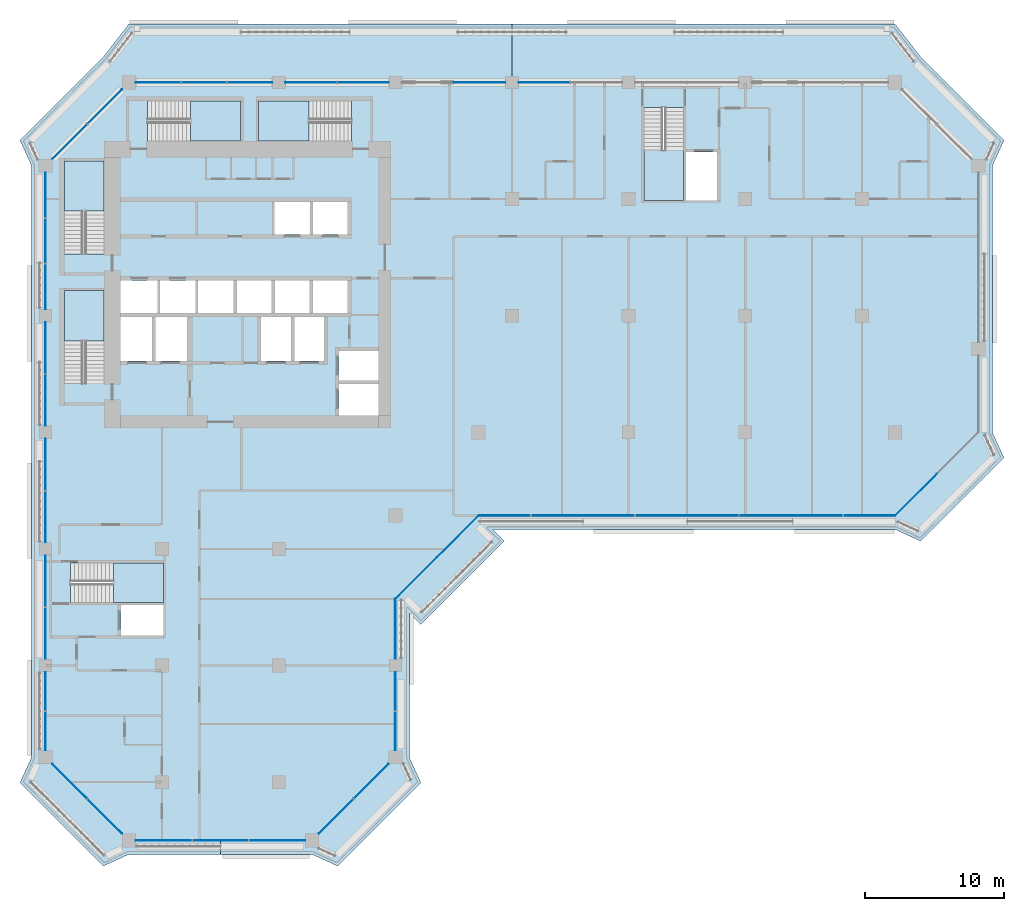
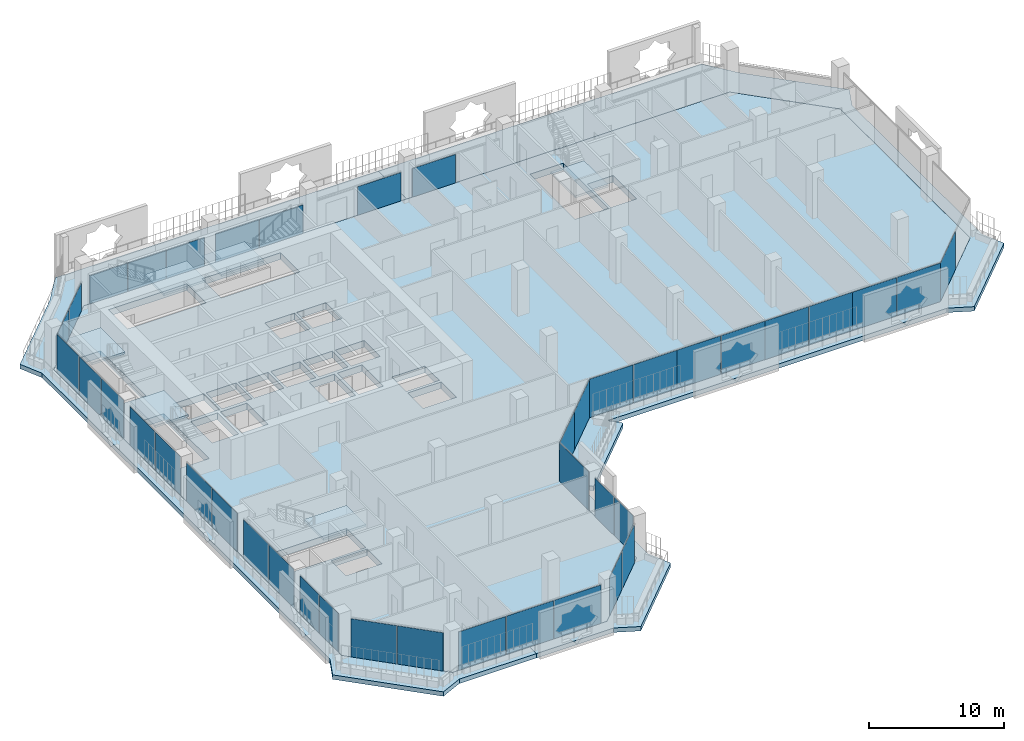
# One storey, part 8 of 21: 41 plates, 9 slabs, 16 elements without a shape of their own.
"""IFC4 building model written with IfcOpenShell, lengths in metres."""

from ifc_helpers import new_model, si_unit, direction, frame, origin, origin_2d, place, context, subcontext, project, spatial, polyline, rectangle, outline, extrude, material, layer, layer_set, type_object, element, aggregate, save


model = new_model("IFC4")

# Units and contexts
model_context = context("Model", 3, precision=1e-05, world=origin(), true_north=direction((0.0, 1.0)))
body_context = subcontext(model_context, "Body", "Model", "MODEL_VIEW")
ifc_project = project(units=[si_unit("LENGTHUNIT", "METRE"), si_unit("AREAUNIT", "SQUARE_METRE"), si_unit("VOLUMEUNIT", "CUBIC_METRE"), si_unit("PLANEANGLEUNIT", "RADIAN"), si_unit("MASSUNIT", "GRAM", prefix="KILO")], contexts=[model_context])

# Site, building, storey
site_placement = place(None, origin())
site = spatial("IfcSite", under=ifc_project, at=site_placement, CompositionType="ELEMENT")
building_placement = place(site_placement, origin())
building = spatial("IfcBuilding", under=site, at=building_placement, Name="Kawkab Arch Medical Tower", CompositionType="ELEMENT")
storey_placement = place(building_placement, frame((0.0, 0.0, 200.39990234375)))
storey = spatial("IfcBuildingStorey", under=building, at=storey_placement, Name="L46", CompositionType="ELEMENT", Elevation=200.39990234375)

# Curtain wall, plates
ifc_material_1 = material(Name="Bronze anodised aluminium curtain wall frame", Category="aluminium")
ifc_layer_1 = layer(ifc_material_1, 0.159912109375)
ifc_layer_set_1 = layer_set([ifc_layer_1], Name="Bronze anodised aluminium curtain wall frame")
curtain_wall_type_1 = type_object("IfcCurtainWallType", Name="CW1 ward curtain wall", PredefinedType="NOTDEFINED", material=ifc_layer_set_1)
placement_1 = place(storey_placement, origin())
curtain_wall_1 = element("IfcCurtainWall", 1, at=placement_1, inside=storey, type_object=curtain_wall_type_1, Name="CW1 Ward curtain wall R01", PredefinedType="NOTDEFINED")
ifc_material_2 = material(Name="Tinted insulating glass, bronze low-e coating", Category="glass")
ifc_layer_2 = layer(ifc_material_2, 0.031982421875)
ifc_layer_set_2 = layer_set([ifc_layer_2], Name="Tinted insulating glass, bronze low-e coating")
plate_type_1 = type_object("IfcPlateType", Name="CW1 glazing unit 32", PredefinedType="CURTAIN_PANEL", material=ifc_layer_set_2)
plate_1_placement = place(storey_placement, frame((0.0, -8.12255859375, 0.0), z_axis=(0.0, 0.0, 1.0), x_axis=(0.0, -1.0, 0.0)))
plate_1 = element("IfcPlate", 2, at=plate_1_placement, type_object=plate_type_1, Name="CW1 glazing unit 1.1", PredefinedType="CURTAIN_PANEL", context=body_context, shape_type="SweptSolid", body=[
    extrude(rectangle(XDim=3.2451171875, YDim=0.031982421875, at=origin_2d()), origin(), (0.0, 0.0, 1.0), 3.47998046875),
])
plate_2_placement = place(storey_placement, frame((0.0, -11.41259765625, 0.0), z_axis=(0.0, 0.0, 1.0), x_axis=(0.0, -1.0, 0.0)))
plate_2 = element("IfcPlate", 3, at=plate_2_placement, type_object=plate_type_1, Name="CW1 glazing unit 1.2", PredefinedType="CURTAIN_PANEL", context=body_context, shape_type="SweptSolid", body=[
    extrude(rectangle(XDim=3.215087890625, YDim=0.031982421875, at=origin_2d()), origin(), (0.0, 0.0, 1.0), 3.47998046875),
])
plate_3_placement = place(storey_placement, frame((0.0, -14.702392578125, 0.0), z_axis=(0.0, 0.0, 1.0), x_axis=(0.0, -1.0, 0.0)))
plate_3 = element("IfcPlate", 4, at=plate_3_placement, type_object=plate_type_1, Name="CW1 glazing unit 1.3", PredefinedType="CURTAIN_PANEL", context=body_context, shape_type="SweptSolid", body=[
    extrude(rectangle(XDim=3.2451171875, YDim=0.031982421875, at=origin_2d()), origin(), (0.0, 0.0, 1.0), 3.47998046875),
])
plate_4_placement = place(storey_placement, frame((0.0, -19.12255859375, 0.0), z_axis=(0.0, 0.0, 1.0), x_axis=(0.0, -1.0, 0.0)))
plate_4 = element("IfcPlate", 5, at=plate_4_placement, type_object=plate_type_1, Name="CW1 glazing unit 2.1", PredefinedType="CURTAIN_PANEL", context=body_context, shape_type="SweptSolid", body=[
    extrude(rectangle(XDim=3.695068359375, YDim=0.031982421875, at=origin_2d()), origin(), (0.0, 0.0, 1.0), 3.47998046875),
])
plate_5_placement = place(storey_placement, frame((0.0, -22.87744140625, 0.0), z_axis=(0.0, 0.0, 1.0), x_axis=(0.0, -1.0, 0.0)))
plate_5 = element("IfcPlate", 6, at=plate_5_placement, type_object=plate_type_1, Name="CW1 glazing unit 2.2", PredefinedType="CURTAIN_PANEL", context=body_context, shape_type="SweptSolid", body=[
    extrude(rectangle(XDim=3.695068359375, YDim=0.031982421875, at=origin_2d()), origin(), (0.0, 0.0, 1.0), 3.47998046875),
])
plate_6_placement = place(storey_placement, frame((0.0, -27.5224609375, 0.0), z_axis=(0.0, 0.0, 1.0), x_axis=(0.0, -1.0, 0.0)))
plate_6 = element("IfcPlate", 7, at=plate_6_placement, type_object=plate_type_1, Name="CW1 glazing unit 3.1", PredefinedType="CURTAIN_PANEL", context=body_context, shape_type="SweptSolid", body=[
    extrude(rectangle(XDim=3.695068359375, YDim=0.031982421875, at=origin_2d()), origin(), (0.0, 0.0, 1.0), 3.47998046875),
])
plate_7_placement = place(storey_placement, frame((0.0, -31.277587890625, 0.0), z_axis=(0.0, 0.0, 1.0), x_axis=(0.0, -1.0, 0.0)))
plate_7 = element("IfcPlate", 8, at=plate_7_placement, type_object=plate_type_1, Name="CW1 glazing unit 3.2", PredefinedType="CURTAIN_PANEL", context=body_context, shape_type="SweptSolid", body=[
    extrude(rectangle(XDim=3.695068359375, YDim=0.031982421875, at=origin_2d()), origin(), (0.0, 0.0, 1.0), 3.47998046875),
])
plate_8_placement = place(storey_placement, frame((0.0, -35.922607421875, 0.0), z_axis=(0.0, 0.0, 1.0), x_axis=(0.0, -1.0, 0.0)))
plate_8 = element("IfcPlate", 9, at=plate_8_placement, type_object=plate_type_1, Name="CW1 glazing unit 4.1", PredefinedType="CURTAIN_PANEL", context=body_context, shape_type="SweptSolid", body=[
    extrude(rectangle(XDim=3.695068359375, YDim=0.031982421875, at=origin_2d()), origin(), (0.0, 0.0, 1.0), 3.47998046875),
])
plate_9_placement = place(storey_placement, frame((0.0, -39.677490234375, 0.0), z_axis=(0.0, 0.0, 1.0), x_axis=(0.0, -1.0, 0.0)))
plate_9 = element("IfcPlate", 10, at=plate_9_placement, type_object=plate_type_1, Name="CW1 glazing unit 4.2", PredefinedType="CURTAIN_PANEL", context=body_context, shape_type="SweptSolid", body=[
    extrude(rectangle(XDim=3.695068359375, YDim=0.031982421875, at=origin_2d()), origin(), (0.0, 0.0, 1.0), 3.47998046875),
])
plate_10_placement = place(storey_placement, frame((0.0, -43.8662109375, 0.0), z_axis=(0.0, 0.0, 1.0), x_axis=(0.0, -1.0, 0.0)))
plate_10 = element("IfcPlate", 11, at=plate_10_placement, type_object=plate_type_1, Name="CW1 glazing unit 5.1", PredefinedType="CURTAIN_PANEL", context=body_context, shape_type="SweptSolid", body=[
    extrude(rectangle(XDim=2.782470703125, YDim=0.031982421875, at=origin_2d()), origin(), (0.0, 0.0, 1.0), 3.47998046875),
])
plate_11_placement = place(storey_placement, frame((0.0, -46.708740234375, 0.0), z_axis=(0.0, 0.0, 1.0), x_axis=(0.0, -1.0, 0.0)))
plate_11 = element("IfcPlate", 12, at=plate_11_placement, type_object=plate_type_1, Name="CW1 glazing unit 5.2", PredefinedType="CURTAIN_PANEL", context=body_context, shape_type="SweptSolid", body=[
    extrude(rectangle(XDim=2.782470703125, YDim=0.031982421875, at=origin_2d()), origin(), (0.0, 0.0, 1.0), 3.47998046875),
])
aggregate(curtain_wall_1, [plate_1, plate_2, plate_3, plate_4, plate_5, plate_6, plate_7, plate_8, plate_9, plate_10, plate_11])

curtain_wall_2 = element("IfcCurtainWall", 13, at=placement_1, inside=storey, type_object=curtain_wall_type_1, Name="CW1 Ward curtain wall R03", PredefinedType="NOTDEFINED")
plate_12_placement = place(storey_placement, frame((8.518310546875, -54.60009765625, 0.0), z_axis=(0.0, 0.0, 1.0), x_axis=(1.0, 0.0, 0.0)))
plate_12 = element("IfcPlate", 14, at=plate_12_placement, type_object=plate_type_1, Name="CW1 glazing unit 1.1", PredefinedType="CURTAIN_PANEL", context=body_context, shape_type="SweptSolid", body=[
    extrude(rectangle(XDim=4.03662109375, YDim=0.031982421875, at=origin_2d()), origin(), (0.0, 0.0, 1.0), 3.47998046875),
])
plate_13_placement = place(storey_placement, frame((12.60009765625, -54.60009765625, 0.0), z_axis=(0.0, 0.0, 1.0), x_axis=(1.0, 0.0, 0.0)))
plate_13 = element("IfcPlate", 15, at=plate_13_placement, type_object=plate_type_1, Name="CW1 glazing unit 1.2", PredefinedType="CURTAIN_PANEL", context=body_context, shape_type="SweptSolid", body=[
    extrude(rectangle(XDim=4.006591796875, YDim=0.031982421875, at=origin_2d()), origin(), (0.0, 0.0, 1.0), 3.47998046875),
])
plate_14_placement = place(storey_placement, frame((16.681640625, -54.60009765625, 0.0), z_axis=(0.0, 0.0, 1.0), x_axis=(1.0, 0.0, 0.0)))
plate_14 = element("IfcPlate", 16, at=plate_14_placement, type_object=plate_type_1, Name="CW1 glazing unit 1.3", PredefinedType="CURTAIN_PANEL", context=body_context, shape_type="SweptSolid", body=[
    extrude(rectangle(XDim=4.03662109375, YDim=0.031982421875, at=origin_2d()), origin(), (0.0, 0.0, 1.0), 3.47998046875),
])
aggregate(curtain_wall_2, [plate_12, plate_13, plate_14])

curtain_wall_3 = element("IfcCurtainWall", 17, at=placement_1, inside=storey, type_object=curtain_wall_type_1, Name="CW1 Ward curtain wall R05", PredefinedType="NOTDEFINED")
plate_15_placement = place(storey_placement, frame((25.199951171875, -46.708740234375, 0.0), z_axis=(0.0, 0.0, 1.0), x_axis=(0.0, 1.0, 0.0)))
plate_15 = element("IfcPlate", 18, at=plate_15_placement, type_object=plate_type_1, Name="CW1 glazing unit 1.1", PredefinedType="CURTAIN_PANEL", context=body_context, shape_type="SweptSolid", body=[
    extrude(rectangle(XDim=2.782470703125, YDim=0.031982421875, at=origin_2d()), origin(), (0.0, 0.0, 1.0), 3.47998046875),
])
plate_16_placement = place(storey_placement, frame((25.199951171875, -43.8662109375, 0.0), z_axis=(0.0, 0.0, 1.0), x_axis=(0.0, 1.0, 0.0)))
plate_16 = element("IfcPlate", 19, at=plate_16_placement, type_object=plate_type_1, Name="CW1 glazing unit 1.2", PredefinedType="CURTAIN_PANEL", context=body_context, shape_type="SweptSolid", body=[
    extrude(rectangle(XDim=2.782470703125, YDim=0.031982421875, at=origin_2d()), origin(), (0.0, 0.0, 1.0), 3.47998046875),
])
plate_17_placement = place(storey_placement, frame((25.199951171875, -39.362548828125, 0.0), z_axis=(0.0, 0.0, 1.0), x_axis=(0.0, 1.0, 0.0)))
plate_17 = element("IfcPlate", 20, at=plate_17_placement, type_object=plate_type_1, Name="CW1 glazing unit 2.1", PredefinedType="CURTAIN_PANEL", context=body_context, shape_type="SweptSolid", body=[
    extrude(rectangle(XDim=4.324951171875, YDim=0.031982421875, at=origin_2d()), origin(), (0.0, 0.0, 1.0), 3.47998046875),
])
aggregate(curtain_wall_3, [plate_15, plate_16, plate_17])

curtain_wall_4 = element("IfcCurtainWall", 21, at=placement_1, inside=storey, type_object=curtain_wall_type_1, Name="CW1 Ward curtain wall R07", PredefinedType="NOTDEFINED")
plate_18_placement = place(storey_placement, frame((33.06005859375, -31.199951171875, 0.0), z_axis=(0.0, 0.0, 1.0), x_axis=(1.0, 0.0, 0.0)))
plate_18 = element("IfcPlate", 22, at=plate_18_placement, type_object=plate_type_1, Name="CW1 glazing unit 1.1", PredefinedType="CURTAIN_PANEL", context=body_context, shape_type="SweptSolid", body=[
    extrude(rectangle(XDim=3.719970703125, YDim=0.031982421875, at=origin_2d()), origin(), (0.0, 0.0, 1.0), 3.47998046875),
])
plate_19_placement = place(storey_placement, frame((36.840087890625, -31.199951171875, 0.0), z_axis=(0.0, 0.0, 1.0), x_axis=(1.0, 0.0, 0.0)))
plate_19 = element("IfcPlate", 23, at=plate_19_placement, type_object=plate_type_1, Name="CW1 glazing unit 1.2", PredefinedType="CURTAIN_PANEL", context=body_context, shape_type="SweptSolid", body=[
    extrude(rectangle(XDim=3.719970703125, YDim=0.031982421875, at=origin_2d()), origin(), (0.0, 0.0, 1.0), 3.47998046875),
])
plate_20_placement = place(storey_placement, frame((40.56005859375, -31.199951171875, 0.0), z_axis=(0.0, 0.0, 1.0), x_axis=(1.0, 0.0, 0.0)))
plate_20 = element("IfcPlate", 24, at=plate_20_placement, type_object=plate_type_1, Name="CW1 glazing unit 2.1", PredefinedType="CURTAIN_PANEL", context=body_context, shape_type="SweptSolid", body=[
    extrude(rectangle(XDim=3.719970703125, YDim=0.031982421875, at=origin_2d()), origin(), (0.0, 0.0, 1.0), 3.47998046875),
])
plate_21_placement = place(storey_placement, frame((44.340087890625, -31.199951171875, 0.0), z_axis=(0.0, 0.0, 1.0), x_axis=(1.0, 0.0, 0.0)))
plate_21 = element("IfcPlate", 25, at=plate_21_placement, type_object=plate_type_1, Name="CW1 glazing unit 2.2", PredefinedType="CURTAIN_PANEL", context=body_context, shape_type="SweptSolid", body=[
    extrude(rectangle(XDim=3.719970703125, YDim=0.031982421875, at=origin_2d()), origin(), (0.0, 0.0, 1.0), 3.47998046875),
])
plate_22_placement = place(storey_placement, frame((48.06005859375, -31.199951171875, 0.0), z_axis=(0.0, 0.0, 1.0), x_axis=(1.0, 0.0, 0.0)))
plate_22 = element("IfcPlate", 26, at=plate_22_placement, type_object=plate_type_1, Name="CW1 glazing unit 3.1", PredefinedType="CURTAIN_PANEL", context=body_context, shape_type="SweptSolid", body=[
    extrude(rectangle(XDim=3.719970703125, YDim=0.031982421875, at=origin_2d()), origin(), (0.0, 0.0, 1.0), 3.47998046875),
])
plate_23_placement = place(storey_placement, frame((51.840087890625, -31.199951171875, 0.0), z_axis=(0.0, 0.0, 1.0), x_axis=(1.0, 0.0, 0.0)))
plate_23 = element("IfcPlate", 27, at=plate_23_placement, type_object=plate_type_1, Name="CW1 glazing unit 3.2", PredefinedType="CURTAIN_PANEL", context=body_context, shape_type="SweptSolid", body=[
    extrude(rectangle(XDim=3.719970703125, YDim=0.031982421875, at=origin_2d()), origin(), (0.0, 0.0, 1.0), 3.47998046875),
])
plate_24_placement = place(storey_placement, frame((55.56005859375, -31.199951171875, 0.0), z_axis=(0.0, 0.0, 1.0), x_axis=(1.0, 0.0, 0.0)))
plate_24 = element("IfcPlate", 28, at=plate_24_placement, type_object=plate_type_1, Name="CW1 glazing unit 4.1", PredefinedType="CURTAIN_PANEL", context=body_context, shape_type="SweptSolid", body=[
    extrude(rectangle(XDim=3.719970703125, YDim=0.031982421875, at=origin_2d()), origin(), (0.0, 0.0, 1.0), 3.47998046875),
])
plate_25_placement = place(storey_placement, frame((59.340087890625, -31.199951171875, 0.0), z_axis=(0.0, 0.0, 1.0), x_axis=(1.0, 0.0, 0.0)))
plate_25 = element("IfcPlate", 29, at=plate_25_placement, type_object=plate_type_1, Name="CW1 glazing unit 4.2", PredefinedType="CURTAIN_PANEL", context=body_context, shape_type="SweptSolid", body=[
    extrude(rectangle(XDim=3.719970703125, YDim=0.031982421875, at=origin_2d()), origin(), (0.0, 0.0, 1.0), 3.47998046875),
])
aggregate(curtain_wall_4, [plate_18, plate_19, plate_20, plate_21, plate_22, plate_23, plate_24, plate_25])

curtain_wall_5 = element("IfcCurtainWall", 30, at=placement_1, inside=storey, type_object=curtain_wall_type_1, Name="CW1 Ward curtain wall R11", PredefinedType="NOTDEFINED")
plate_26_placement = place(storey_placement, frame((35.922607421875, 0.0, 0.0), z_axis=(0.0, 0.0, 1.0), x_axis=(-1.0, 0.0, 0.0)))
plate_26 = element("IfcPlate", 31, at=plate_26_placement, type_object=plate_type_1, Name="CW1 glazing unit 3.2", PredefinedType="CURTAIN_PANEL", context=body_context, shape_type="SweptSolid", body=[
    extrude(rectangle(XDim=3.695068359375, YDim=0.031982421875, at=origin_2d()), origin(), (0.0, 0.0, 1.0), 2.580078125),
])
plate_27_placement = place(storey_placement, frame((31.262451171875, 0.0, 0.0), z_axis=(0.0, 0.0, 1.0), x_axis=(-1.0, 0.0, 0.0)))
plate_27 = element("IfcPlate", 32, at=plate_27_placement, type_object=plate_type_1, Name="CW1 glazing unit 4.1", PredefinedType="CURTAIN_PANEL", context=body_context, shape_type="SweptSolid", body=[
    extrude(rectangle(XDim=3.72509765625, YDim=0.031982421875, at=origin_2d()), origin(), (0.0, 0.0, 1.0), 2.580078125),
])
plate_28_placement = place(storey_placement, frame((22.87744140625, 0.0, 0.0), z_axis=(0.0, 0.0, 1.0), x_axis=(-1.0, 0.0, 0.0)))
plate_28 = element("IfcPlate", 33, at=plate_28_placement, type_object=plate_type_1, Name="CW1 glazing unit 5.1", PredefinedType="CURTAIN_PANEL", context=body_context, shape_type="SweptSolid", body=[
    extrude(rectangle(XDim=3.695068359375, YDim=0.031982421875, at=origin_2d()), origin(), (0.0, 0.0, 1.0), 2.580078125),
])
plate_29_placement = place(storey_placement, frame((19.12255859375, 0.0, 0.0), z_axis=(0.0, 0.0, 1.0), x_axis=(-1.0, 0.0, 0.0)))
plate_29 = element("IfcPlate", 34, at=plate_29_placement, type_object=plate_type_1, Name="CW1 glazing unit 5.2", PredefinedType="CURTAIN_PANEL", context=body_context, shape_type="SweptSolid", body=[
    extrude(rectangle(XDim=3.695068359375, YDim=0.031982421875, at=origin_2d()), origin(), (0.0, 0.0, 1.0), 2.580078125),
])
plate_30_placement = place(storey_placement, frame((14.702392578125, 0.0, 0.0), z_axis=(0.0, 0.0, 1.0), x_axis=(-1.0, 0.0, 0.0)))
plate_30 = element("IfcPlate", 35, at=plate_30_placement, type_object=plate_type_1, Name="CW1 glazing unit 6.1", PredefinedType="CURTAIN_PANEL", context=body_context, shape_type="SweptSolid", body=[
    extrude(rectangle(XDim=3.2451171875, YDim=0.031982421875, at=origin_2d()), origin(), (0.0, 0.0, 1.0), 2.580078125),
])
plate_31_placement = place(storey_placement, frame((11.41259765625, 0.0, 0.0), z_axis=(0.0, 0.0, 1.0), x_axis=(-1.0, 0.0, 0.0)))
plate_31 = element("IfcPlate", 36, at=plate_31_placement, type_object=plate_type_1, Name="CW1 glazing unit 6.2", PredefinedType="CURTAIN_PANEL", context=body_context, shape_type="SweptSolid", body=[
    extrude(rectangle(XDim=3.215087890625, YDim=0.031982421875, at=origin_2d()), origin(), (0.0, 0.0, 1.0), 2.580078125),
])
plate_32_placement = place(storey_placement, frame((8.12255859375, 0.0, 0.0), z_axis=(0.0, 0.0, 1.0), x_axis=(-1.0, 0.0, 0.0)))
plate_32 = element("IfcPlate", 37, at=plate_32_placement, type_object=plate_type_1, Name="CW1 glazing unit 6.3", PredefinedType="CURTAIN_PANEL", context=body_context, shape_type="SweptSolid", body=[
    extrude(rectangle(XDim=3.2451171875, YDim=0.031982421875, at=origin_2d()), origin(), (0.0, 0.0, 1.0), 2.580078125),
])
aggregate(curtain_wall_5, [plate_26, plate_27, plate_28, plate_29, plate_30, plate_31, plate_32])

ifc_material_3 = material(Name="Bronze anodised aluminium curtain wall frame", Category="aluminium")
ifc_layer_3 = layer(ifc_material_3, 0.159912109375)
ifc_layer_set_3 = layer_set([ifc_layer_3], Name="Bronze anodised aluminium curtain wall frame")
curtain_wall_type_2 = type_object("IfcCurtainWallType", Name="CW2 chamfer curtain wall", PredefinedType="NOTDEFINED", material=ifc_layer_set_3)
curtain_wall_6 = element("IfcCurtainWall", 38, at=placement_1, inside=storey, type_object=curtain_wall_type_2, Name="CW2 Chamfer curtain wall R02", PredefinedType="NOTDEFINED")
ifc_material_4 = material(Name="Tinted insulating glass, bronze low-e coating", Category="glass")
ifc_layer_4 = layer(ifc_material_4, 0.031982421875)
ifc_layer_set_4 = layer_set([ifc_layer_4], Name="Tinted insulating glass, bronze low-e coating")
plate_type_2 = type_object("IfcPlateType", Name="CW2 glazing unit 32", PredefinedType="CURTAIN_PANEL", material=ifc_layer_set_4)
plate_33_placement = place(storey_placement, frame((1.739501953125, -50.33935546875, 0.0), z_axis=(0.0, 0.0, 1.0), x_axis=(0.707106781187, -0.707106781187, 0.0)))
plate_33 = element("IfcPlate", 39, at=plate_33_placement, type_object=plate_type_2, Name="CW2 glazing unit 1.1", PredefinedType="CURTAIN_PANEL", context=body_context, shape_type="SweptSolid", body=[
    extrude(rectangle(XDim=3.505615234375, YDim=0.031982421875, at=origin_2d()), origin(), (0.0, 0.0, 1.0), 3.4599609375),
])
plate_34_placement = place(storey_placement, frame((4.260498046875, -52.860595703125, 0.0), z_axis=(0.0, 0.0, 1.0), x_axis=(0.707106781187, -0.707106781187, 0.0)))
plate_34 = element("IfcPlate", 40, at=plate_34_placement, type_object=plate_type_2, Name="CW2 glazing unit 1.2", PredefinedType="CURTAIN_PANEL", context=body_context, shape_type="SweptSolid", body=[
    extrude(rectangle(XDim=3.505615234375, YDim=0.031982421875, at=origin_2d()), origin(), (0.0, 0.0, 1.0), 3.4599609375),
])
aggregate(curtain_wall_6, [plate_33, plate_34])

curtain_wall_7 = element("IfcCurtainWall", 41, at=placement_1, inside=storey, type_object=curtain_wall_type_2, Name="CW2 Chamfer curtain wall R04", PredefinedType="NOTDEFINED")
plate_35_placement = place(storey_placement, frame((20.939453125, -52.860595703125, 0.0), z_axis=(0.0, 0.0, 1.0), x_axis=(0.707106781187, 0.707106781187, 0.0)))
plate_35 = element("IfcPlate", 42, at=plate_35_placement, type_object=plate_type_2, Name="CW2 glazing unit 1.1", PredefinedType="CURTAIN_PANEL", context=body_context, shape_type="SweptSolid", body=[
    extrude(rectangle(XDim=3.505615234375, YDim=0.031982421875, at=origin_2d()), origin(), (0.0, 0.0, 1.0), 3.4599609375),
])
plate_36_placement = place(storey_placement, frame((23.460693359375, -50.33935546875, 0.0), z_axis=(0.0, 0.0, 1.0), x_axis=(0.707106781187, 0.707106781187, 0.0)))
plate_36 = element("IfcPlate", 43, at=plate_36_placement, type_object=plate_type_2, Name="CW2 glazing unit 1.2", PredefinedType="CURTAIN_PANEL", context=body_context, shape_type="SweptSolid", body=[
    extrude(rectangle(XDim=3.505615234375, YDim=0.031982421875, at=origin_2d()), origin(), (0.0, 0.0, 1.0), 3.4599609375),
])
aggregate(curtain_wall_7, [plate_35, plate_36])

curtain_wall_8 = element("IfcCurtainWall", 44, at=placement_1, inside=storey, type_object=curtain_wall_type_2, Name="CW2 Chamfer curtain wall R06", PredefinedType="NOTDEFINED")
plate_37_placement = place(storey_placement, frame((26.699951171875, -35.699951171875, 0.0), z_axis=(0.0, 0.0, 1.0), x_axis=(0.707106781187, 0.707106781187, 0.0)))
plate_37 = element("IfcPlate", 45, at=plate_37_placement, type_object=plate_type_2, Name="CW2 glazing unit 1.1", PredefinedType="CURTAIN_PANEL", context=body_context, shape_type="SweptSolid", body=[
    extrude(rectangle(XDim=4.24267578125, YDim=0.031982421875, at=origin_2d()), origin(), (0.0, 0.0, 1.0), 3.4599609375),
])
plate_38_placement = place(storey_placement, frame((29.699951171875, -32.699951171875, 0.0), z_axis=(0.0, 0.0, 1.0), x_axis=(0.707106781187, 0.707106781187, 0.0)))
plate_38 = element("IfcPlate", 46, at=plate_38_placement, type_object=plate_type_2, Name="CW2 glazing unit 2.1", PredefinedType="CURTAIN_PANEL", context=body_context, shape_type="SweptSolid", body=[
    extrude(rectangle(XDim=4.24267578125, YDim=0.031982421875, at=origin_2d()), origin(), (0.0, 0.0, 1.0), 3.4599609375),
])
aggregate(curtain_wall_8, [plate_37, plate_38])

# Curtain wall, plate
curtain_wall_9 = element("IfcCurtainWall", 47, at=placement_1, inside=storey, type_object=curtain_wall_type_2, Name="CW2 Chamfer curtain wall R08", PredefinedType="NOTDEFINED")
plate_39_placement = place(storey_placement, frame((62.699951171875, -29.699951171875, 0.0), z_axis=(0.0, 0.0, 1.0), x_axis=(0.707106781187, 0.707106781187, 0.0)))
plate_39 = element("IfcPlate", 48, at=plate_39_placement, type_object=plate_type_2, Name="CW2 glazing unit 1.1", PredefinedType="CURTAIN_PANEL", context=body_context, shape_type="SweptSolid", body=[
    extrude(rectangle(XDim=4.24267578125, YDim=0.031982421875, at=origin_2d()), origin(), (0.0, 0.0, 1.0), 3.4599609375),
])
aggregate(curtain_wall_9, [plate_39])

# Curtain wall, plates
curtain_wall_10 = element("IfcCurtainWall", 49, at=placement_1, inside=storey, type_object=curtain_wall_type_2, Name="CW2 Chamfer curtain wall R12", PredefinedType="NOTDEFINED")
plate_40_placement = place(storey_placement, frame((4.260498046875, -1.739501953125, 0.0), z_axis=(0.0, 0.0, 1.0), x_axis=(-0.707106781187, -0.707106781187, 0.0)))
plate_40 = element("IfcPlate", 50, at=plate_40_placement, type_object=plate_type_2, Name="CW2 glazing unit 1.1", PredefinedType="CURTAIN_PANEL", context=body_context, shape_type="SweptSolid", body=[
    extrude(rectangle(XDim=3.505615234375, YDim=0.031982421875, at=origin_2d()), origin(), (0.0, 0.0, 1.0), 2.56005859375),
])
plate_41_placement = place(storey_placement, frame((1.739501953125, -4.260498046875, 0.0), z_axis=(0.0, 0.0, 1.0), x_axis=(-0.707106781187, -0.707106781187, 0.0)))
plate_41 = element("IfcPlate", 51, at=plate_41_placement, type_object=plate_type_2, Name="CW2 glazing unit 1.2", PredefinedType="CURTAIN_PANEL", context=body_context, shape_type="SweptSolid", body=[
    extrude(rectangle(XDim=3.505615234375, YDim=0.031982421875, at=origin_2d()), origin(), (0.0, 0.0, 1.0), 2.56005859375),
])
aggregate(curtain_wall_10, [plate_40, plate_41])

# Stair, slab
ifc_material_5 = material(Name="Concrete C40/50", Category="concrete")
stair_type = type_object("IfcStairType", Name="Exit stair 1350", PredefinedType="HALF_TURN_STAIR", material=ifc_material_5)
stair_1 = element("IfcStair", 52, at=placement_1, inside=storey, type_object=stair_type, Name="L46 Exit stair ST1", PredefinedType="HALF_TURN_STAIR")
ifc_material_6 = material(Name="Concrete C40/50", Category="concrete")
ifc_layer_5 = layer(ifc_material_6, 0.199951171875)
ifc_layer_set_5 = layer_set([ifc_layer_5], Name="Concrete C40/50")
slab_type_1 = type_object("IfcSlabType", Name="Exit stair landing 200", PredefinedType="LANDING", material=ifc_layer_set_5)
placement_2 = place(storey_placement, frame((0.0, 0.0, 1.900146484375)))
slab_1 = element("IfcSlab", 53, at=placement_2, type_object=slab_type_1, Name="ST1 landing 1", PredefinedType="LANDING", context=body_context, shape_type="SweptSolid", body=[
    extrude(outline(polyline([(4.199951171875, -9.27001953125), (4.199951171875, -5.64990234375), (1.35009765625, -5.64990234375), (1.35009765625, -9.27001953125), (4.199951171875, -9.27001953125)])), origin(), (0.0, 0.0, 1.0), 0.199951171875),
])
aggregate(stair_1, [slab_1])

stair_2 = element("IfcStair", 54, at=placement_1, inside=storey, type_object=stair_type, Name="L46 Exit stair ST2", PredefinedType="HALF_TURN_STAIR")
slab_2 = element("IfcSlab", 55, at=placement_2, type_object=slab_type_1, Name="ST2 landing 1", PredefinedType="LANDING", context=body_context, shape_type="SweptSolid", body=[
    extrude(outline(polyline([(4.199951171875, -18.6201171875), (4.199951171875, -15.0), (1.35009765625, -15.0), (1.35009765625, -18.6201171875), (4.199951171875, -18.6201171875)])), origin(), (0.0, 0.0, 1.0), 0.199951171875),
])
aggregate(stair_2, [slab_2])

stair_3 = element("IfcStair", 56, at=placement_1, inside=storey, type_object=stair_type, Name="L46 Exit stair ST3", PredefinedType="HALF_TURN_STAIR")
slab_3 = element("IfcSlab", 57, at=placement_2, type_object=slab_type_1, Name="ST3 landing 1", PredefinedType="LANDING", context=body_context, shape_type="SweptSolid", body=[
    extrude(outline(polyline([(10.429931640625, -4.199951171875), (14.050048828125, -4.199951171875), (14.050048828125, -1.35009765625), (10.429931640625, -1.35009765625), (10.429931640625, -4.199951171875)])), origin(), (0.0, 0.0, 1.0), 0.199951171875),
])
aggregate(stair_3, [slab_3])

stair_4 = element("IfcStair", 58, at=placement_1, inside=storey, type_object=stair_type, Name="L46 Exit stair ST4", PredefinedType="HALF_TURN_STAIR")
slab_4 = element("IfcSlab", 59, at=placement_2, type_object=slab_type_1, Name="ST4 landing 1", PredefinedType="LANDING", context=body_context, shape_type="SweptSolid", body=[
    extrude(outline(polyline([(18.969970703125, -1.35009765625), (15.35009765625, -1.35009765625), (15.35009765625, -4.199951171875), (18.969970703125, -4.199951171875), (18.969970703125, -1.35009765625)])), origin(), (0.0, 0.0, 1.0), 0.199951171875),
])
aggregate(stair_4, [slab_4])

stair_5 = element("IfcStair", 60, at=placement_1, inside=storey, type_object=stair_type, Name="L46 Exit stair ST5", PredefinedType="HALF_TURN_STAIR")
slab_5 = element("IfcSlab", 61, at=placement_2, type_object=slab_type_1, Name="ST5 landing 1", PredefinedType="LANDING", context=body_context, shape_type="SweptSolid", body=[
    extrude(outline(polyline([(43.10009765625, -4.8798828125), (43.10009765625, -8.5), (45.949951171875, -8.5), (45.949951171875, -4.8798828125), (43.10009765625, -4.8798828125)])), origin(), (0.0, 0.0, 1.0), 0.199951171875),
])
aggregate(stair_5, [slab_5])

stair_6 = element("IfcStair", 62, at=placement_1, inside=storey, type_object=stair_type, Name="L46 Exit stair ST6", PredefinedType="HALF_TURN_STAIR")
slab_6 = element("IfcSlab", 63, at=placement_2, type_object=slab_type_1, Name="ST6 landing 1", PredefinedType="LANDING", context=body_context, shape_type="SweptSolid", body=[
    extrude(outline(polyline([(4.8798828125, -37.449951171875), (8.5, -37.449951171875), (8.5, -34.60009765625), (4.8798828125, -34.60009765625), (4.8798828125, -37.449951171875)])), origin(), (0.0, 0.0, 1.0), 0.199951171875),
])
aggregate(stair_6, [slab_6])

# Slabs
ifc_material_7 = material(Name="Concrete C45/55", Category="concrete")
ifc_layer_6 = layer(ifc_material_7, 0.60009765625)
ifc_layer_set_6 = layer_set([ifc_layer_6], Name="Concrete C45/55")
slab_type_2 = type_object("IfcSlabType", Name="Flat plate 600 C45/55", PredefinedType="FLOOR", material=ifc_layer_set_6)
slab_7_placement = place(storey_placement, frame((0.0, 0.0, -0.599853515625)))
element("IfcSlab", 64, at=slab_7_placement, inside=storey, type_object=slab_type_2, Name="Floor slab L46", PredefinedType="FLOOR", context=body_context, shape_type="SweptSolid", body=[
    extrude(outline(polyline([(6.0, 0.0), (61.199951171875, 0.0), (67.199951171875, -6.0), (67.199951171875, -25.199951171875), (61.199951171875, -31.199951171875), (31.199951171875, -31.199951171875), (25.199951171875, -37.199951171875), (25.199951171875, -48.60009765625), (19.199951171875, -54.60009765625), (6.0, -54.60009765625), (0.0, -48.60009765625), (0.0, -6.0), (6.0, 0.0)]), holes=[polyline([(5.425048828125, -37.64990234375), (5.425048828125, -39.85009765625), (8.5, -39.85009765625), (8.5, -37.64990234375), (5.425048828125, -37.64990234375)]), polyline([(8.5, -37.449951171875), (8.5, -34.60009765625), (1.800048828125, -34.60009765625), (1.800048828125, -37.449951171875), (8.5, -37.449951171875)]), polyline([(5.39990234375, -20.050048828125), (7.675048828125, -20.050048828125), (7.675048828125, -16.89990234375), (5.39990234375, -16.89990234375), (5.39990234375, -20.050048828125)]), polyline([(10.199951171875, -20.050048828125), (10.199951171875, -16.89990234375), (7.925048828125, -16.89990234375), (7.925048828125, -20.050048828125), (10.199951171875, -20.050048828125)]), polyline([(4.199951171875, -21.699951171875), (4.199951171875, -15.0), (1.35009765625, -15.0), (1.35009765625, -21.699951171875), (4.199951171875, -21.699951171875)]), polyline([(5.39990234375, -16.60009765625), (8.050048828125, -16.60009765625), (8.050048828125, -14.25), (5.39990234375, -14.25), (5.39990234375, -16.60009765625)]), polyline([(10.800048828125, -16.60009765625), (10.800048828125, -14.25), (8.25, -14.25), (8.25, -16.60009765625), (10.800048828125, -16.60009765625)]), polyline([(11.0, -16.60009765625), (13.52490234375, -16.60009765625), (13.52490234375, -14.25), (11.0, -14.25), (11.0, -16.60009765625)]), polyline([(16.27490234375, -16.60009765625), (16.27490234375, -14.25), (13.77490234375, -14.25), (13.77490234375, -16.60009765625), (16.27490234375, -16.60009765625)]), polyline([(4.199951171875, -12.35009765625), (4.199951171875, -5.64990234375), (1.35009765625, -5.64990234375), (1.35009765625, -12.35009765625), (4.199951171875, -12.35009765625)]), polyline([(7.35009765625, -4.199951171875), (14.050048828125, -4.199951171875), (14.050048828125, -1.35009765625), (7.35009765625, -1.35009765625), (7.35009765625, -4.199951171875)]), polyline([(24.0, -21.72509765625), (21.14990234375, -21.72509765625), (21.14990234375, -24.0), (24.0, -24.0), (24.0, -21.72509765625)]), polyline([(24.0, -19.35009765625), (21.14990234375, -19.35009765625), (21.14990234375, -21.47509765625), (24.0, -21.47509765625), (24.0, -19.35009765625)]), polyline([(15.52490234375, -16.89990234375), (15.52490234375, -20.050048828125), (17.675048828125, -20.050048828125), (17.675048828125, -16.89990234375), (15.52490234375, -16.89990234375)]), polyline([(20.050048828125, -16.89990234375), (17.925048828125, -16.89990234375), (17.925048828125, -20.050048828125), (20.050048828125, -20.050048828125), (20.050048828125, -16.89990234375)]), polyline([(19.02490234375, -14.25), (16.52490234375, -14.25), (16.52490234375, -16.60009765625), (19.02490234375, -16.60009765625), (19.02490234375, -14.25)]), polyline([(21.75, -14.25), (19.27490234375, -14.25), (19.27490234375, -16.60009765625), (21.75, -16.60009765625), (21.75, -14.25)]), polyline([(16.5, -8.60009765625), (16.5, -10.949951171875), (19.050048828125, -10.949951171875), (19.050048828125, -8.60009765625), (16.5, -8.60009765625)]), polyline([(21.75, -8.60009765625), (19.25, -8.60009765625), (19.25, -10.949951171875), (21.75, -10.949951171875), (21.75, -8.60009765625)]), polyline([(46.14990234375, -8.5), (48.35009765625, -8.5), (48.35009765625, -5.02490234375), (46.14990234375, -5.02490234375), (46.14990234375, -8.5)]), polyline([(43.10009765625, -1.800048828125), (43.10009765625, -8.5), (45.949951171875, -8.5), (45.949951171875, -1.800048828125), (43.10009765625, -1.800048828125)]), polyline([(22.050048828125, -1.35009765625), (15.35009765625, -1.35009765625), (15.35009765625, -4.199951171875), (22.050048828125, -4.199951171875), (22.050048828125, -1.35009765625)])]), origin(), (0.0, 0.0, 1.0), 0.599853515625),
])
ifc_material_8 = material(Name="Concrete C40/50", Category="concrete")
ifc_layer_7 = layer(ifc_material_8, 0.39990234375)
ifc_layer_set_7 = layer_set([ifc_layer_7], Name="Concrete C40/50")
slab_type_3 = type_object("IfcSlabType", Name="Loggia slab 400", PredefinedType="FLOOR", material=ifc_layer_set_7)
placement_3 = place(storey_placement, frame((0.0, 0.0, -0.39990234375)))
element("IfcSlab", 65, at=placement_3, inside=storey, type_object=slab_type_3, Name="Loggia slab L46.3", PredefinedType="FLOOR", context=body_context, shape_type="SweptSolid", body=[
    extrude(outline(polyline([(-1.837890625, -50.43701171875), (-1.0, -48.60009765625), (-1.0, -6.0), (-1.837890625, -4.1630859375), (4.162109375, 1.837890625), (5.9990234375, 4.198974609375), (6.0009765625, 4.198974609375), (6.0009765625, 4.199951171875), (33.59912109375, 4.199951171875), (33.59912109375, 4.198974609375), (33.60009765625, 4.198974609375), (33.60009765625, 0.001953125), (33.59912109375, 0.001953125), (33.59912109375, 0.0009765625), (6.0, 0.0009765625), (-0.0009765625, -6.0), (-0.0009765625, -48.60009765625), (6.0, -54.60107421875), (12.59912109375, -54.60107421875), (12.59912109375, -54.60205078125), (12.60009765625, -54.60205078125), (12.60009765625, -55.59912109375), (12.59912109375, -55.59912109375), (12.59912109375, -55.60009765625), (6.0, -55.60009765625), (4.1630859375, -56.43798828125), (-1.837890625, -50.43701171875)])), origin(), (0.0, 0.0, 1.0), 0.39990234375),
])
element("IfcSlab", 66, at=placement_3, inside=storey, type_object=slab_type_3, Name="Loggia slab L46.4", PredefinedType="FLOOR", context=body_context, shape_type="SweptSolid", body=[
    extrude(outline(polyline([(12.60107421875, -55.60009765625), (12.60107421875, -55.59912109375), (12.60009765625, -55.59912109375), (12.60009765625, -54.60205078125), (12.60107421875, -54.60205078125), (12.60107421875, -54.60107421875), (19.199951171875, -54.60107421875), (25.199951171875, -48.60009765625), (25.199951171875, -37.200927734375), (31.200927734375, -31.199951171875), (61.199951171875, -31.199951171875), (67.200927734375, -25.199951171875), (67.200927734375, -6.0), (61.199951171875, 0.0009765625), (33.60107421875, 0.0009765625), (33.60107421875, 0.001953125), (33.60009765625, 0.001953125), (33.60009765625, 4.198974609375), (33.60107421875, 4.198974609375), (33.60107421875, 4.199951171875), (61.198974609375, 4.199951171875), (61.198974609375, 4.198974609375), (61.200927734375, 4.198974609375), (63.0380859375, 1.837890625), (69.0380859375, -4.1630859375), (68.199951171875, -6.0), (68.199951171875, -25.199951171875), (69.0380859375, -27.037109375), (63.037109375, -33.0380859375), (61.199951171875, -32.199951171875), (32.198974609375, -32.199951171875), (33.035888671875, -33.0380859375), (27.0380859375, -39.035888671875), (26.199951171875, -38.198974609375), (26.199951171875, -48.60009765625), (27.0380859375, -50.43701171875), (21.037109375, -56.43798828125), (19.199951171875, -55.60009765625), (12.60107421875, -55.60009765625)])), origin(), (0.0, 0.0, 1.0), 0.39990234375),
])

save(model, "model.ifc")
